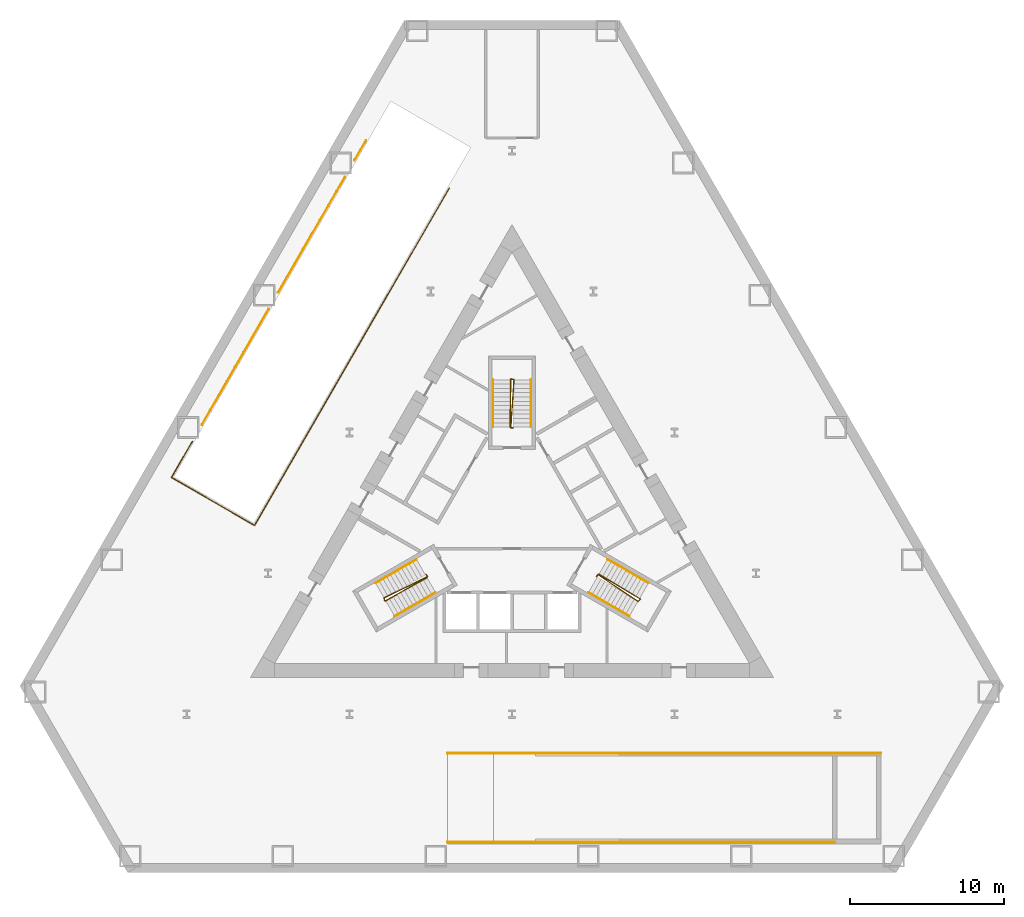
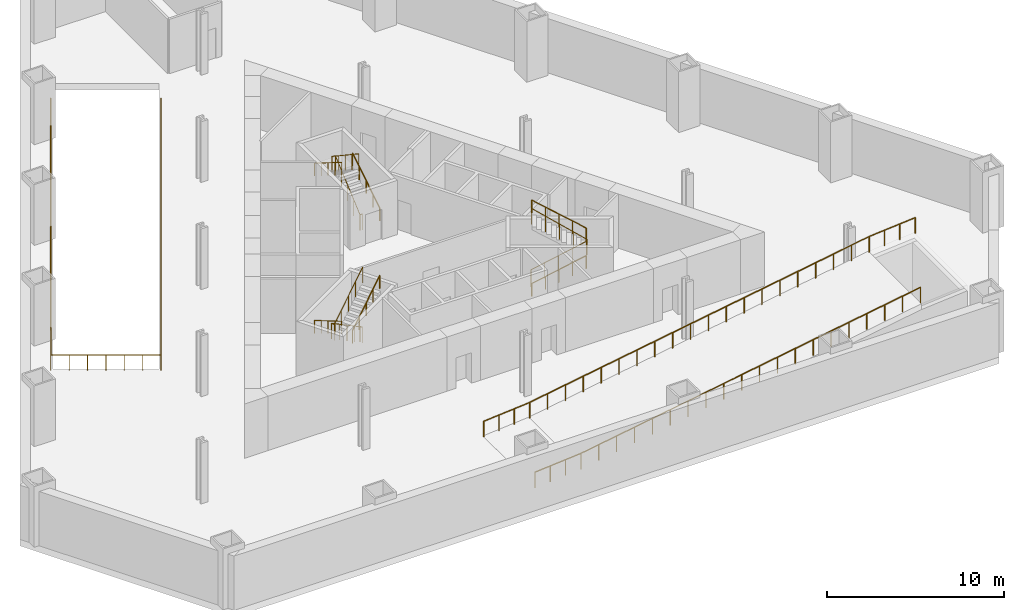
# One storey, part 5 of 5: 15 railings.
"""IFC4 building model written with IfcOpenShell, lengths in metres."""

from ifc_helpers import new_model, si_unit, direction, frame, origin, origin_2d, place, context, subcontext, project, spatial, circle, extrude, material, type_object, element, save


model = new_model("IFC4")

# Units and contexts
model_context = context("Model", 3, precision=1e-05, world=origin(), true_north=direction((0.0, 1.0)))
body_context = subcontext(model_context, "Body", "Model", "MODEL_VIEW")
ifc_project = project(units=[si_unit("LENGTHUNIT", "METRE"), si_unit("AREAUNIT", "SQUARE_METRE"), si_unit("VOLUMEUNIT", "CUBIC_METRE"), si_unit("PLANEANGLEUNIT", "RADIAN"), si_unit("MASSUNIT", "GRAM", prefix="KILO")], contexts=[model_context])

# Site, building, storey
site_placement = place(None, origin())
site = spatial("IfcSite", under=ifc_project, at=site_placement, CompositionType="ELEMENT")
building_placement = place(site_placement, origin())
building = spatial("IfcBuilding", under=site, at=building_placement, Name="Cormorant Prow Tower", CompositionType="ELEMENT")
storey_placement = place(building_placement, frame((0.0, 0.0, -4.199951171875)))
storey = spatial("IfcBuildingStorey", under=building, at=storey_placement, Name="B1", CompositionType="ELEMENT", Elevation=-4.199951171875)

# Railings
ifc_material_1 = material(Name="Stainless steel", Category="steel")
railing_type_1 = type_object("IfcRailingType", Name="Ramp deck guard 1100", PredefinedType="GUARDRAIL", material=ifc_material_1)
railing_1_placement = place(storey_placement, frame((-4.083251953125, 21.9873046875, 0.0)))
element("IfcRailing", 1, at=railing_1_placement, inside=storey, type_object=railing_type_1, Name="Vehicle ramp R2 deck guard 1", PredefinedType="GUARDRAIL", context=body_context, shape_type="SweptSolid", body=[
    extrude(circle(Radius=0.02392578125, at=origin_2d()), frame((0.0, 0.0, 1.076171875), z_axis=(-0.500009296846, -0.866020036181, 0.0), x_axis=(0.866020036181, -0.500009296846, 0.0)), (0.0, 0.0, 1.0), 25.31982421875),
    extrude(circle(Radius=0.02392578125, at=origin_2d()), frame((-12.66015625, -21.927490234375, 1.076171875), z_axis=(-0.866026604282, 0.499997920671, 0.0), x_axis=(-0.499997920671, -0.866026604282, 0.0)), (0.0, 0.0, 1.0), 6.23974609375),
    extrude(circle(Radius=0.02392578125, at=origin_2d()), frame((-18.06396484375, -18.8076171875, 1.076171875), z_axis=(0.499971721724, 0.866041729639, 0.0), x_axis=(-0.866041729639, 0.499971721724, 0.0)), (0.0, 0.0, 1.0), 2.713134765625),
    extrude(circle(Radius=0.02099609375, at=origin_2d()), origin(), (0.0, 0.0, 1.0), 1.052001953125),
    extrude(circle(Radius=0.02099609375, at=origin_2d()), frame((-0.575439453125, -0.99658203125, 0.0)), (0.0, 0.0, 1.0), 1.052001953125),
    extrude(circle(Radius=0.02099609375, at=origin_2d()), frame((-1.15087890625, -1.993408203125, 0.0)), (0.0, 0.0, 1.0), 1.052001953125),
    extrude(circle(Radius=0.02099609375, at=origin_2d()), frame((-1.726318359375, -2.990234375, 0.0)), (0.0, 0.0, 1.0), 1.052001953125),
    extrude(circle(Radius=0.02099609375, at=origin_2d()), frame((-2.3017578125, -3.98681640625, 0.0)), (0.0, 0.0, 1.0), 1.052001953125),
    extrude(circle(Radius=0.02099609375, at=origin_2d()), frame((-2.877197265625, -4.9833984375, 0.0)), (0.0, 0.0, 1.0), 1.052001953125),
    extrude(circle(Radius=0.02099609375, at=origin_2d()), frame((-3.452880859375, -5.980224609375, 0.0)), (0.0, 0.0, 1.0), 1.052001953125),
    extrude(circle(Radius=0.02099609375, at=origin_2d()), frame((-4.0283203125, -6.97705078125, 0.0)), (0.0, 0.0, 1.0), 1.052001953125),
    extrude(circle(Radius=0.02099609375, at=origin_2d()), frame((-4.603759765625, -7.9736328125, 0.0)), (0.0, 0.0, 1.0), 1.052001953125),
    extrude(circle(Radius=0.02099609375, at=origin_2d()), frame((-5.17919921875, -8.97021484375, 0.0)), (0.0, 0.0, 1.0), 1.052001953125),
    extrude(circle(Radius=0.02099609375, at=origin_2d()), frame((-5.754638671875, -9.967041015625, 0.0)), (0.0, 0.0, 1.0), 1.052001953125),
    extrude(circle(Radius=0.02099609375, at=origin_2d()), frame((-6.330078125, -10.9638671875, 0.0)), (0.0, 0.0, 1.0), 1.052001953125),
    extrude(circle(Radius=0.02099609375, at=origin_2d()), frame((-6.905517578125, -11.96044921875, 0.0)), (0.0, 0.0, 1.0), 1.052001953125),
    extrude(circle(Radius=0.02099609375, at=origin_2d()), frame((-7.48095703125, -12.95703125, 0.0)), (0.0, 0.0, 1.0), 1.052001953125),
    extrude(circle(Radius=0.02099609375, at=origin_2d()), frame((-8.056396484375, -13.953857421875, 0.0)), (0.0, 0.0, 1.0), 1.052001953125),
    extrude(circle(Radius=0.02099609375, at=origin_2d()), frame((-8.6318359375, -14.950439453125, 0.0)), (0.0, 0.0, 1.0), 1.052001953125),
    extrude(circle(Radius=0.02099609375, at=origin_2d()), frame((-9.207275390625, -15.947265625, 0.0)), (0.0, 0.0, 1.0), 1.052001953125),
    extrude(circle(Radius=0.02099609375, at=origin_2d()), frame((-9.782958984375, -16.94384765625, 0.0)), (0.0, 0.0, 1.0), 1.052001953125),
    extrude(circle(Radius=0.02099609375, at=origin_2d()), frame((-10.3583984375, -17.940673828125, 0.0)), (0.0, 0.0, 1.0), 1.052001953125),
    extrude(circle(Radius=0.02099609375, at=origin_2d()), frame((-10.933837890625, -18.9375, 0.0)), (0.0, 0.0, 1.0), 1.052001953125),
    extrude(circle(Radius=0.02099609375, at=origin_2d()), frame((-11.50927734375, -19.93408203125, 0.0)), (0.0, 0.0, 1.0), 1.052001953125),
    extrude(circle(Radius=0.02099609375, at=origin_2d()), frame((-12.084716796875, -20.9306640625, 0.0)), (0.0, 0.0, 1.0), 1.052001953125),
    extrude(circle(Radius=0.02099609375, at=origin_2d()), frame((-12.66015625, -21.927490234375, 0.0)), (0.0, 0.0, 1.0), 1.052001953125),
    extrude(circle(Radius=0.02099609375, at=origin_2d()), frame((-13.560791015625, -21.407470703125, 0.0)), (0.0, 0.0, 1.0), 1.052001953125),
    extrude(circle(Radius=0.02099609375, at=origin_2d()), frame((-14.46142578125, -20.887451171875, 0.0)), (0.0, 0.0, 1.0), 1.052001953125),
    extrude(circle(Radius=0.02099609375, at=origin_2d()), frame((-15.362060546875, -20.36767578125, 0.0)), (0.0, 0.0, 1.0), 1.052001953125),
    extrude(circle(Radius=0.02099609375, at=origin_2d()), frame((-16.2626953125, -19.84765625, 0.0)), (0.0, 0.0, 1.0), 1.052001953125),
    extrude(circle(Radius=0.02099609375, at=origin_2d()), frame((-17.163330078125, -19.32763671875, 0.0)), (0.0, 0.0, 1.0), 1.052001953125),
    extrude(circle(Radius=0.02099609375, at=origin_2d()), frame((-18.06396484375, -18.8076171875, 0.0)), (0.0, 0.0, 1.0), 1.052001953125),
    extrude(circle(Radius=0.02099609375, at=origin_2d()), frame((-17.61181640625, -18.0244140625, 0.0)), (0.0, 0.0, 1.0), 1.052001953125),
    extrude(circle(Radius=0.02099609375, at=origin_2d()), frame((-17.15966796875, -17.2412109375, 0.0)), (0.0, 0.0, 1.0), 1.052001953125),
    extrude(circle(Radius=0.02099609375, at=origin_2d()), frame((-16.70751953125, -16.4580078125, 0.0)), (0.0, 0.0, 1.0), 1.052001953125),
])
for number, where, name in (
    (2, (-20.16796875, 6.608154296875, 0.0), "Vehicle ramp R2 deck guard 2"),
    (3, (-15.201904296875, 15.209716796875, 0.0), "Vehicle ramp R2 deck guard 3"),
):
    element("IfcRailing", number, at=place(storey_placement, frame(where)), inside=storey, type_object=railing_type_1, Name=name, PredefinedType="GUARDRAIL", context=body_context, shape_type="SweptSolid", body=[
        extrude(circle(Radius=0.02392578125, at=origin_2d()), frame((0.0, 0.0, 1.076171875), z_axis=(0.50001440814, 0.866017085081, 0.0), x_axis=(-0.866017085081, 0.50001440814, 0.0)), (0.0, 0.0, 1.0), 8.686279296875),
        extrude(circle(Radius=0.02099609375, at=origin_2d()), origin(), (0.0, 0.0, 1.0), 1.052001953125),
        extrude(circle(Radius=0.02099609375, at=origin_2d()), frame((0.54296875, 0.9404296875, 0.0)), (0.0, 0.0, 1.0), 1.052001953125),
        extrude(circle(Radius=0.02099609375, at=origin_2d()), frame((1.0859375, 1.880615234375, 0.0)), (0.0, 0.0, 1.0), 1.052001953125),
        extrude(circle(Radius=0.02099609375, at=origin_2d()), frame((1.628662109375, 2.82080078125, 0.0)), (0.0, 0.0, 1.0), 1.052001953125),
        extrude(circle(Radius=0.02099609375, at=origin_2d()), frame((2.171630859375, 3.76123046875, 0.0)), (0.0, 0.0, 1.0), 1.052001953125),
        extrude(circle(Radius=0.02099609375, at=origin_2d()), frame((2.714599609375, 4.70166015625, 0.0)), (0.0, 0.0, 1.0), 1.052001953125),
        extrude(circle(Radius=0.02099609375, at=origin_2d()), frame((3.25732421875, 5.641845703125, 0.0)), (0.0, 0.0, 1.0), 1.052001953125),
        extrude(circle(Radius=0.02099609375, at=origin_2d()), frame((3.80029296875, 6.58203125, 0.0)), (0.0, 0.0, 1.0), 1.052001953125),
        extrude(circle(Radius=0.02099609375, at=origin_2d()), frame((4.34326171875, 7.5224609375, 0.0)), (0.0, 0.0, 1.0), 1.052001953125),
    ])
railing_2_placement = place(storey_placement, frame((-10.235595703125, 23.811279296875, 0.0)))
element("IfcRailing", 4, at=railing_2_placement, inside=storey, type_object=railing_type_1, Name="Vehicle ramp R2 deck guard 4", PredefinedType="GUARDRAIL", context=body_context, shape_type="SweptSolid", body=[
    extrude(circle(Radius=0.02392578125, at=origin_2d()), frame((0.0, 0.0, 1.076171875), z_axis=(0.499981332661, 0.866036181109, 0.0), x_axis=(-0.866036181109, 0.499981332661, 0.0)), (0.0, 0.0, 1.0), 1.49658203125),
    extrude(circle(Radius=0.02099609375, at=origin_2d()), origin(), (0.0, 0.0, 1.0), 1.052001953125),
    extrude(circle(Radius=0.02099609375, at=origin_2d()), frame((0.3740234375, 0.64794921875, 0.0)), (0.0, 0.0, 1.0), 1.052001953125),
    extrude(circle(Radius=0.02099609375, at=origin_2d()), frame((0.748291015625, 1.296142578125, 0.0)), (0.0, 0.0, 1.0), 1.052001953125),
])
ifc_material_2 = material(Name="Stainless steel", Category="steel")
railing_type_2 = type_object("IfcRailingType", Name="Ramp edge guard 1100", PredefinedType="GUARDRAIL", material=ifc_material_2)
railing_3_placement = place(storey_placement, frame((24.0, -14.75, 4.199951171875)))
element("IfcRailing", 5, at=railing_3_placement, inside=storey, type_object=railing_type_2, Name="Vehicle ramp 3 inner guard", PredefinedType="GUARDRAIL", context=body_context, shape_type="SweptSolid", body=[
    extrude(circle(Radius=0.02392578125, at=origin_2d()), frame((0.0, 0.0, 1.076171875), z_axis=(-0.996545758245, 0.0, -0.083045479854), x_axis=(0.0, -1.0, 0.0)), (0.0, 0.0, 1.0), 3.010498046875),
    extrude(circle(Radius=0.02392578125, at=origin_2d()), frame((-3.0, 0.0, 0.826171875), z_axis=(-0.986394217012, 0.0, -0.164397228215), x_axis=(0.0, -1.0, 0.0)), (0.0, 0.0, 1.0), 22.506103515625),
    extrude(circle(Radius=0.02392578125, at=origin_2d()), frame((-25.199951171875, 0.0, -2.8740234375), z_axis=(-0.996545758245, 0.0, -0.083045479854), x_axis=(0.0, -1.0, 0.0)), (0.0, 0.0, 1.0), 3.010498046875),
    extrude(circle(Radius=0.02099609375, at=origin_2d()), origin(), (0.0, 0.0, 1.0), 1.052001953125),
    extrude(circle(Radius=0.02099609375, at=origin_2d()), frame((-1.0, 0.0, -0.083251953125)), (0.0, 0.0, 1.0), 1.052001953125),
    extrude(circle(Radius=0.02099609375, at=origin_2d()), frame((-2.0, 0.0, -0.166748046875)), (0.0, 0.0, 1.0), 1.052001953125),
    extrude(circle(Radius=0.02099609375, at=origin_2d()), frame((-3.0, 0.0, -0.25)), (0.0, 0.0, 1.0), 1.052001953125),
    extrude(circle(Radius=0.02099609375, at=origin_2d()), frame((-4.16845703125, 0.0, -0.44482421875)), (0.0, 0.0, 1.0), 1.052001953125),
    extrude(circle(Radius=0.02099609375, at=origin_2d()), frame((-5.3369140625, 0.0, -0.639404296875)), (0.0, 0.0, 1.0), 1.052001953125),
    extrude(circle(Radius=0.02099609375, at=origin_2d()), frame((-6.50537109375, 0.0, -0.834228515625)), (0.0, 0.0, 1.0), 1.052001953125),
    extrude(circle(Radius=0.02099609375, at=origin_2d()), frame((-7.673583984375, 0.0, -1.029052734375)), (0.0, 0.0, 1.0), 1.052001953125),
    extrude(circle(Radius=0.02099609375, at=origin_2d()), frame((-8.842041015625, 0.0, -1.2236328125)), (0.0, 0.0, 1.0), 1.052001953125),
    extrude(circle(Radius=0.02099609375, at=origin_2d()), frame((-10.010498046875, 0.0, -1.41845703125)), (0.0, 0.0, 1.0), 1.052001953125),
    extrude(circle(Radius=0.02099609375, at=origin_2d()), frame((-11.178955078125, 0.0, -1.613037109375)), (0.0, 0.0, 1.0), 1.052001953125),
    extrude(circle(Radius=0.02099609375, at=origin_2d()), frame((-12.347412109375, 0.0, -1.807861328125)), (0.0, 0.0, 1.0), 1.052001953125),
    extrude(circle(Radius=0.02099609375, at=origin_2d()), frame((-13.515869140625, 0.0, -2.002685546875)), (0.0, 0.0, 1.0), 1.052001953125),
    extrude(circle(Radius=0.02099609375, at=origin_2d()), frame((-14.68408203125, 0.0, -2.197265625)), (0.0, 0.0, 1.0), 1.052001953125),
    extrude(circle(Radius=0.02099609375, at=origin_2d()), frame((-15.8525390625, 0.0, -2.39208984375)), (0.0, 0.0, 1.0), 1.052001953125),
    extrude(circle(Radius=0.02099609375, at=origin_2d()), frame((-17.02099609375, 0.0, -2.5869140625)), (0.0, 0.0, 1.0), 1.052001953125),
    extrude(circle(Radius=0.02099609375, at=origin_2d()), frame((-18.189453125, 0.0, -2.781494140625)), (0.0, 0.0, 1.0), 1.052001953125),
    extrude(circle(Radius=0.02099609375, at=origin_2d()), frame((-19.35791015625, 0.0, -2.976318359375)), (0.0, 0.0, 1.0), 1.052001953125),
    extrude(circle(Radius=0.02099609375, at=origin_2d()), frame((-20.5263671875, 0.0, -3.1708984375)), (0.0, 0.0, 1.0), 1.052001953125),
    extrude(circle(Radius=0.02099609375, at=origin_2d()), frame((-21.694580078125, 0.0, -3.36572265625)), (0.0, 0.0, 1.0), 1.052001953125),
    extrude(circle(Radius=0.02099609375, at=origin_2d()), frame((-22.863037109375, 0.0, -3.560546875)), (0.0, 0.0, 1.0), 1.052001953125),
    extrude(circle(Radius=0.02099609375, at=origin_2d()), frame((-24.031494140625, 0.0, -3.755126953125)), (0.0, 0.0, 1.0), 1.052001953125),
    extrude(circle(Radius=0.02099609375, at=origin_2d()), frame((-25.199951171875, 0.0, -3.949951171875)), (0.0, 0.0, 1.0), 1.052001953125),
    extrude(circle(Radius=0.02099609375, at=origin_2d()), frame((-26.199951171875, 0.0, -4.033203125)), (0.0, 0.0, 1.0), 1.052001953125),
    extrude(circle(Radius=0.02099609375, at=origin_2d()), frame((-27.199951171875, 0.0, -4.11669921875)), (0.0, 0.0, 1.0), 1.052001953125),
    extrude(circle(Radius=0.02099609375, at=origin_2d()), frame((-28.199951171875, 0.0, -4.199951171875)), (0.0, 0.0, 1.0), 1.052001953125),
])
railing_4_placement = place(storey_placement, frame((21.0, -20.550048828125, 3.949951171875)))
element("IfcRailing", 6, at=railing_4_placement, inside=storey, type_object=railing_type_2, Name="Vehicle ramp 3 outer guard", PredefinedType="GUARDRAIL", context=body_context, shape_type="SweptSolid", body=[
    extrude(circle(Radius=0.02392578125, at=origin_2d()), frame((0.0, 0.0, 1.076171875), z_axis=(-0.986394217012, 0.0, -0.164397228215), x_axis=(0.0, -1.0, 0.0)), (0.0, 0.0, 1.0), 22.506103515625),
    extrude(circle(Radius=0.02392578125, at=origin_2d()), frame((-22.199951171875, 0.0, -2.6240234375), z_axis=(-0.996545758245, 0.0, -0.083045479854), x_axis=(0.0, -1.0, 0.0)), (0.0, 0.0, 1.0), 3.010498046875),
    extrude(circle(Radius=0.02099609375, at=origin_2d()), origin(), (0.0, 0.0, 1.0), 1.052001953125),
    extrude(circle(Radius=0.02099609375, at=origin_2d()), frame((-1.16845703125, 0.0, -0.19482421875)), (0.0, 0.0, 1.0), 1.052001953125),
    extrude(circle(Radius=0.02099609375, at=origin_2d()), frame((-2.3369140625, 0.0, -0.389404296875)), (0.0, 0.0, 1.0), 1.052001953125),
    extrude(circle(Radius=0.02099609375, at=origin_2d()), frame((-3.50537109375, 0.0, -0.584228515625)), (0.0, 0.0, 1.0), 1.052001953125),
    extrude(circle(Radius=0.02099609375, at=origin_2d()), frame((-4.673583984375, 0.0, -0.779052734375)), (0.0, 0.0, 1.0), 1.052001953125),
    extrude(circle(Radius=0.02099609375, at=origin_2d()), frame((-5.842041015625, 0.0, -0.9736328125)), (0.0, 0.0, 1.0), 1.052001953125),
    extrude(circle(Radius=0.02099609375, at=origin_2d()), frame((-7.010498046875, 0.0, -1.16845703125)), (0.0, 0.0, 1.0), 1.052001953125),
    extrude(circle(Radius=0.02099609375, at=origin_2d()), frame((-8.178955078125, 0.0, -1.363037109375)), (0.0, 0.0, 1.0), 1.052001953125),
    extrude(circle(Radius=0.02099609375, at=origin_2d()), frame((-9.347412109375, 0.0, -1.557861328125)), (0.0, 0.0, 1.0), 1.052001953125),
    extrude(circle(Radius=0.02099609375, at=origin_2d()), frame((-10.515869140625, 0.0, -1.752685546875)), (0.0, 0.0, 1.0), 1.052001953125),
    extrude(circle(Radius=0.02099609375, at=origin_2d()), frame((-11.68408203125, 0.0, -1.947265625)), (0.0, 0.0, 1.0), 1.052001953125),
    extrude(circle(Radius=0.02099609375, at=origin_2d()), frame((-12.8525390625, 0.0, -2.14208984375)), (0.0, 0.0, 1.0), 1.052001953125),
    extrude(circle(Radius=0.02099609375, at=origin_2d()), frame((-14.02099609375, 0.0, -2.3369140625)), (0.0, 0.0, 1.0), 1.052001953125),
    extrude(circle(Radius=0.02099609375, at=origin_2d()), frame((-15.189453125, 0.0, -2.531494140625)), (0.0, 0.0, 1.0), 1.052001953125),
    extrude(circle(Radius=0.02099609375, at=origin_2d()), frame((-16.35791015625, 0.0, -2.726318359375)), (0.0, 0.0, 1.0), 1.052001953125),
    extrude(circle(Radius=0.02099609375, at=origin_2d()), frame((-17.5263671875, 0.0, -2.9208984375)), (0.0, 0.0, 1.0), 1.052001953125),
    extrude(circle(Radius=0.02099609375, at=origin_2d()), frame((-18.694580078125, 0.0, -3.11572265625)), (0.0, 0.0, 1.0), 1.052001953125),
    extrude(circle(Radius=0.02099609375, at=origin_2d()), frame((-19.863037109375, 0.0, -3.310546875)), (0.0, 0.0, 1.0), 1.052001953125),
    extrude(circle(Radius=0.02099609375, at=origin_2d()), frame((-21.031494140625, 0.0, -3.505126953125)), (0.0, 0.0, 1.0), 1.052001953125),
    extrude(circle(Radius=0.02099609375, at=origin_2d()), frame((-22.199951171875, 0.0, -3.699951171875)), (0.0, 0.0, 1.0), 1.052001953125),
    extrude(circle(Radius=0.02099609375, at=origin_2d()), frame((-23.199951171875, 0.0, -3.783203125)), (0.0, 0.0, 1.0), 1.052001953125),
    extrude(circle(Radius=0.02099609375, at=origin_2d()), frame((-24.199951171875, 0.0, -3.86669921875)), (0.0, 0.0, 1.0), 1.052001953125),
    extrude(circle(Radius=0.02099609375, at=origin_2d()), frame((-25.199951171875, 0.0, -3.949951171875)), (0.0, 0.0, 1.0), 1.052001953125),
])
ifc_material_3 = material(Name="Stainless steel", Category="steel")
railing_type_3 = type_object("IfcRailingType", Name="Stair guard 1100", PredefinedType="GUARDRAIL", material=ifc_material_3)
railing_5_placement = place(storey_placement, frame((-5.585205078125, -3.137939453125, 0.0)))
element("IfcRailing", 7, at=railing_5_placement, inside=storey, type_object=railing_type_3, Name="B1 ST1 stair guard 1", PredefinedType="GUARDRAIL", context=body_context, shape_type="SweptSolid", body=[
    extrude(circle(Radius=0.02392578125, at=origin_2d()), frame((0.0, 0.0, 1.076171875), z_axis=(0.501036270542, -0.865426285481, 0.0), x_axis=(0.865426285481, 0.501036270542, 0.0)), (0.0, 0.0, 1.0), 0.150146484375),
    extrude(circle(Radius=0.02392578125, at=origin_2d()), frame((0.0751953125, -0.1298828125, 1.076171875), z_axis=(-0.744670798681, -0.368745611333, 0.556320119817), x_axis=(0.443754251299, -0.896148516963, 0.0)), (0.0, 0.0, 1.0), 3.774658203125),
    extrude(circle(Radius=0.02392578125, at=origin_2d()), frame((-2.735595703125, -1.521728515625, 3.17578125), z_axis=(0.274721127897, -0.961523947641, 0.0), x_axis=(0.961523947641, 0.274721127897, 0.0)), (0.0, 0.0, 1.0), 0.2060546875),
    extrude(circle(Radius=0.02392578125, at=origin_2d()), frame((-2.678955078125, -1.719970703125, 3.17578125), z_axis=(0.725738344322, 0.403670096391, 0.557094524171), x_axis=(-0.486086505765, 0.873910698477, 0.0)), (0.0, 0.0, 1.0), 3.769775390625),
    extrude(circle(Radius=0.02099609375, at=origin_2d()), origin(), (0.0, 0.0, 1.0), 1.052001953125),
    extrude(circle(Radius=0.02099609375, at=origin_2d()), frame((0.0751953125, -0.1298828125, 0.0)), (0.0, 0.0, 1.0), 1.052001953125),
    extrude(circle(Radius=0.02099609375, at=origin_2d()), frame((-0.62744140625, -0.477783203125, 0.52490234375)), (0.0, 0.0, 1.0), 1.052001953125),
    extrude(circle(Radius=0.02099609375, at=origin_2d()), frame((-1.330078125, -0.82568359375, 1.0498046875)), (0.0, 0.0, 1.0), 1.052001953125),
    extrude(circle(Radius=0.02099609375, at=origin_2d()), frame((-2.032958984375, -1.173828125, 1.574951171875)), (0.0, 0.0, 1.0), 1.052001953125),
    extrude(circle(Radius=0.02099609375, at=origin_2d()), frame((-2.735595703125, -1.521728515625, 2.099853515625)), (0.0, 0.0, 1.0), 1.052001953125),
    extrude(circle(Radius=0.02099609375, at=origin_2d()), frame((-2.678955078125, -1.719970703125, 2.099853515625)), (0.0, 0.0, 1.0), 1.052001953125),
    extrude(circle(Radius=0.02099609375, at=origin_2d()), frame((-1.9951171875, -1.339599609375, 2.625)), (0.0, 0.0, 1.0), 1.052001953125),
    extrude(circle(Radius=0.02099609375, at=origin_2d()), frame((-1.31103515625, -0.958984375, 3.14990234375)), (0.0, 0.0, 1.0), 1.052001953125),
    extrude(circle(Radius=0.02099609375, at=origin_2d()), frame((-0.626953125, -0.57861328125, 3.6748046875)), (0.0, 0.0, 1.0), 1.052001953125),
    extrude(circle(Radius=0.02099609375, at=origin_2d()), frame((0.056884765625, -0.1982421875, 4.199951171875)), (0.0, 0.0, 1.0), 1.052001953125),
])
railing_6_placement = place(storey_placement, frame((5.510009765625, -3.267822265625, 0.0)))
element("IfcRailing", 8, at=railing_6_placement, inside=storey, type_object=railing_type_3, Name="B1 ST2 stair guard 1", PredefinedType="GUARDRAIL", context=body_context, shape_type="SweptSolid", body=[
    extrude(circle(Radius=0.02392578125, at=origin_2d()), frame((0.0, 0.0, 1.076171875), z_axis=(0.501036270542, 0.865426285481, 0.0), x_axis=(-0.865426285481, 0.501036270542, 0.0)), (0.0, 0.0, 1.0), 0.150146484375),
    extrude(circle(Radius=0.02392578125, at=origin_2d()), frame((0.0751953125, 0.1298828125, 1.076171875), z_axis=(0.691655524431, -0.460543096787, 0.55633864824), x_axis=(0.554233058506, 0.832361530141, 0.0)), (0.0, 0.0, 1.0), 3.7744140625),
    extrude(circle(Radius=0.02392578125, at=origin_2d()), frame((2.685791015625, -1.6083984375, 3.17578125), z_axis=(0.695164929852, 0.718850276695, 0.0), x_axis=(-0.718850276695, 0.695164929852, 0.0)), (0.0, 0.0, 1.0), 0.2060546875),
    extrude(circle(Radius=0.02392578125, at=origin_2d()), frame((2.8291015625, -1.460205078125, 3.17578125), z_axis=(-0.712463317363, 0.426661970256, 0.557095669117), x_axis=(-0.513773053629, -0.857926132814, 0.0)), (0.0, 0.0, 1.0), 3.769775390625),
    extrude(circle(Radius=0.02099609375, at=origin_2d()), origin(), (0.0, 0.0, 1.0), 1.052001953125),
    extrude(circle(Radius=0.02099609375, at=origin_2d()), frame((0.0751953125, 0.1298828125, 0.0)), (0.0, 0.0, 1.0), 1.052001953125),
    extrude(circle(Radius=0.02099609375, at=origin_2d()), frame((0.727783203125, -0.3046875, 0.52490234375)), (0.0, 0.0, 1.0), 1.052001953125),
    extrude(circle(Radius=0.02099609375, at=origin_2d()), frame((1.38037109375, -0.7392578125, 1.0498046875)), (0.0, 0.0, 1.0), 1.052001953125),
    extrude(circle(Radius=0.02099609375, at=origin_2d()), frame((2.033203125, -1.173828125, 1.574951171875)), (0.0, 0.0, 1.0), 1.052001953125),
    extrude(circle(Radius=0.02099609375, at=origin_2d()), frame((2.685791015625, -1.6083984375, 2.099853515625)), (0.0, 0.0, 1.0), 1.052001953125),
    extrude(circle(Radius=0.02099609375, at=origin_2d()), frame((2.8291015625, -1.460205078125, 2.099853515625)), (0.0, 0.0, 1.0), 1.052001953125),
    extrude(circle(Radius=0.02099609375, at=origin_2d()), frame((2.15771484375, -1.05810546875, 2.625)), (0.0, 0.0, 1.0), 1.052001953125),
    extrude(circle(Radius=0.02099609375, at=origin_2d()), frame((1.486328125, -0.656005859375, 3.14990234375)), (0.0, 0.0, 1.0), 1.052001953125),
    extrude(circle(Radius=0.02099609375, at=origin_2d()), frame((0.814697265625, -0.25390625, 3.6748046875)), (0.0, 0.0, 1.0), 1.052001953125),
    extrude(circle(Radius=0.02099609375, at=origin_2d()), frame((0.143310546875, 0.148193359375, 4.199951171875)), (0.0, 0.0, 1.0), 1.052001953125),
])
railing_7_placement = place(storey_placement, frame((0.074951171875, 6.40576171875, 0.0)))
element("IfcRailing", 9, at=railing_7_placement, inside=storey, type_object=railing_type_3, Name="B1 ST3 stair guard 1", PredefinedType="GUARDRAIL", context=body_context, shape_type="SweptSolid", body=[
    extrude(circle(Radius=0.02392578125, at=origin_2d()), frame((0.0, 0.0, 1.076171875), z_axis=(-1.0, 0.0, 0.0), x_axis=(0.0, -1.0, 0.0)), (0.0, 0.0, 1.0), 0.14990234375),
    extrude(circle(Radius=0.02392578125, at=origin_2d()), frame((-0.14990234375, 0.0, 1.076171875), z_axis=(0.052973824345, 0.829276437025, 0.556322177276), x_axis=(-0.997965923181, 0.063749636618, 0.0)), (0.0, 0.0, 1.0), 3.7744140625),
    extrude(circle(Radius=0.02392578125, at=origin_2d()), frame((0.050048828125, 3.130126953125, 3.17578125), z_axis=(-0.970072785993, 0.242814311512, 0.0), x_axis=(-0.242814311512, -0.970072785993, 0.0)), (0.0, 0.0, 1.0), 0.2060546875),
    extrude(circle(Radius=0.02392578125, at=origin_2d()), frame((-0.14990234375, 3.18017578125, 3.17578125), z_axis=(-0.013276620939, -0.830339302729, 0.557099967403), x_axis=(0.999872194171, -0.015987348866, 0.0)), (0.0, 0.0, 1.0), 3.769775390625),
    extrude(circle(Radius=0.02099609375, at=origin_2d()), origin(), (0.0, 0.0, 1.0), 1.052001953125),
    extrude(circle(Radius=0.02099609375, at=origin_2d()), frame((-0.14990234375, 0.0, 0.0)), (0.0, 0.0, 1.0), 1.052001953125),
    extrude(circle(Radius=0.02099609375, at=origin_2d()), frame((-0.099853515625, 0.782470703125, 0.52490234375)), (0.0, 0.0, 1.0), 1.052001953125),
    extrude(circle(Radius=0.02099609375, at=origin_2d()), frame((-0.0498046875, 1.56494140625, 1.0498046875)), (0.0, 0.0, 1.0), 1.052001953125),
    extrude(circle(Radius=0.02099609375, at=origin_2d()), frame((0.0, 2.34765625, 1.574951171875)), (0.0, 0.0, 1.0), 1.052001953125),
    extrude(circle(Radius=0.02099609375, at=origin_2d()), frame((0.050048828125, 3.130126953125, 2.099853515625)), (0.0, 0.0, 1.0), 1.052001953125),
    extrude(circle(Radius=0.02099609375, at=origin_2d()), frame((-0.14990234375, 3.18017578125, 2.099853515625)), (0.0, 0.0, 1.0), 1.052001953125),
    extrude(circle(Radius=0.02099609375, at=origin_2d()), frame((-0.162353515625, 2.397705078125, 2.625)), (0.0, 0.0, 1.0), 1.052001953125),
    extrude(circle(Radius=0.02099609375, at=origin_2d()), frame((-0.1748046875, 1.615234375, 3.14990234375)), (0.0, 0.0, 1.0), 1.052001953125),
    extrude(circle(Radius=0.02099609375, at=origin_2d()), frame((-0.1875, 0.83251953125, 3.6748046875)), (0.0, 0.0, 1.0), 1.052001953125),
    extrude(circle(Radius=0.02099609375, at=origin_2d()), frame((-0.199951171875, 0.050048828125, 4.199951171875)), (0.0, 0.0, 1.0), 1.052001953125),
])
ifc_material_4 = material(Name="Stainless steel", Category="steel")
railing_type_4 = type_object("IfcRailingType", Name="Stair handrail 900", PredefinedType="HANDRAIL", material=ifc_material_4)
railing_8_placement = place(storey_placement, frame((-6.212890625, -2.150634765625, 0.175048828125)))
element("IfcRailing", 10, at=railing_8_placement, inside=storey, type_object=railing_type_4, Name="B1 ST1 stair handrail 1", PredefinedType="HANDRAIL", context=body_context, shape_type="SweptSolid", body=[
    extrude(circle(Radius=0.02392578125, at=origin_2d()), frame((0.0, 0.0, 0.8759765625), z_axis=(-0.734421155904, -0.424009578203, 0.529944755001), x_axis=(0.499992328818, -0.866029832698, 0.0)), (0.0, 0.0, 1.0), 3.632080078125),
    extrude(circle(Radius=0.02099609375, at=origin_2d()), origin(), (0.0, 0.0, 1.0), 0.851806640625),
    extrude(circle(Radius=0.02099609375, at=origin_2d()), frame((-0.6669921875, -0.385009765625, 0.481201171875)), (0.0, 0.0, 1.0), 0.851806640625),
    extrude(circle(Radius=0.02099609375, at=origin_2d()), frame((-1.333740234375, -0.77001953125, 0.96240234375)), (0.0, 0.0, 1.0), 0.851806640625),
    extrude(circle(Radius=0.02099609375, at=origin_2d()), frame((-2.00048828125, -1.155029296875, 1.443603515625)), (0.0, 0.0, 1.0), 0.851806640625),
    extrude(circle(Radius=0.02099609375, at=origin_2d()), frame((-2.66748046875, -1.5400390625, 1.9248046875)), (0.0, 0.0, 1.0), 0.851806640625),
])
railing_9_placement = place(storey_placement, frame((-7.63623046875, -5.84521484375, 2.27490234375)))
element("IfcRailing", 11, at=railing_9_placement, inside=storey, type_object=railing_type_4, Name="B1 ST1 stair handrail 2", PredefinedType="HANDRAIL", context=body_context, shape_type="SweptSolid", body=[
    extrude(circle(Radius=0.02392578125, at=origin_2d()), frame((0.0, 0.0, 0.8759765625), z_axis=(0.734364028329, 0.424015404183, 0.530019255228), x_axis=(-0.500026652407, 0.866010015463, 0.0)), (0.0, 0.0, 1.0), 3.632080078125),
    extrude(circle(Radius=0.02099609375, at=origin_2d()), origin(), (0.0, 0.0, 1.0), 0.851806640625),
    extrude(circle(Radius=0.02099609375, at=origin_2d()), frame((0.666748046875, 0.385009765625, 0.481201171875)), (0.0, 0.0, 1.0), 0.851806640625),
    extrude(circle(Radius=0.02099609375, at=origin_2d()), frame((1.33349609375, 0.77001953125, 0.96240234375)), (0.0, 0.0, 1.0), 0.851806640625),
    extrude(circle(Radius=0.02099609375, at=origin_2d()), frame((2.00048828125, 1.155029296875, 1.44384765625)), (0.0, 0.0, 1.0), 0.851806640625),
    extrude(circle(Radius=0.02099609375, at=origin_2d()), frame((2.667236328125, 1.5400390625, 1.925048828125)), (0.0, 0.0, 1.0), 0.851806640625),
])
railing_10_placement = place(storey_placement, frame((4.968994140625, -4.30517578125, 0.175048828125)))
element("IfcRailing", 12, at=railing_10_placement, inside=storey, type_object=railing_type_4, Name="B1 ST2 stair handrail 1", PredefinedType="HANDRAIL", context=body_context, shape_type="SweptSolid", body=[
    extrude(circle(Radius=0.02392578125, at=origin_2d()), frame((0.0, 0.0, 0.8759765625), z_axis=(0.734390191396, -0.42403051051, 0.529970917068), x_axis=(0.500026652407, 0.866010015463, 0.0)), (0.0, 0.0, 1.0), 3.6318359375),
    extrude(circle(Radius=0.02099609375, at=origin_2d()), origin(), (0.0, 0.0, 1.0), 0.851806640625),
    extrude(circle(Radius=0.02099609375, at=origin_2d()), frame((0.666748046875, -0.385009765625, 0.481201171875)), (0.0, 0.0, 1.0), 0.851806640625),
    extrude(circle(Radius=0.02099609375, at=origin_2d()), frame((1.33349609375, -0.77001953125, 0.96240234375)), (0.0, 0.0, 1.0), 0.851806640625),
    extrude(circle(Radius=0.02099609375, at=origin_2d()), frame((2.00048828125, -1.155029296875, 1.443603515625)), (0.0, 0.0, 1.0), 0.851806640625),
    extrude(circle(Radius=0.02099609375, at=origin_2d()), frame((2.667236328125, -1.5400390625, 1.9248046875)), (0.0, 0.0, 1.0), 0.851806640625),
])
railing_11_placement = place(storey_placement, frame((8.88037109375, -3.690673828125, 2.27490234375)))
element("IfcRailing", 13, at=railing_11_placement, inside=storey, type_object=railing_type_4, Name="B1 ST2 stair handrail 2", PredefinedType="HANDRAIL", context=body_context, shape_type="SweptSolid", body=[
    extrude(circle(Radius=0.02392578125, at=origin_2d()), frame((0.0, 0.0, 0.8759765625), z_axis=(-0.734394994316, 0.423994474112, 0.52999309264), x_axis=(-0.499992328818, -0.866029832698, 0.0)), (0.0, 0.0, 1.0), 3.63232421875),
    extrude(circle(Radius=0.02099609375, at=origin_2d()), origin(), (0.0, 0.0, 1.0), 0.851806640625),
    extrude(circle(Radius=0.02099609375, at=origin_2d()), frame((-0.6669921875, 0.385009765625, 0.481201171875)), (0.0, 0.0, 1.0), 0.851806640625),
    extrude(circle(Radius=0.02099609375, at=origin_2d()), frame((-1.333740234375, 0.77001953125, 0.96240234375)), (0.0, 0.0, 1.0), 0.851806640625),
    extrude(circle(Radius=0.02099609375, at=origin_2d()), frame((-2.00048828125, 1.155029296875, 1.44384765625)), (0.0, 0.0, 1.0), 0.851806640625),
    extrude(circle(Radius=0.02099609375, at=origin_2d()), frame((-2.66748046875, 1.5400390625, 1.925048828125)), (0.0, 0.0, 1.0), 0.851806640625),
])
railing_12_placement = place(storey_placement, frame((1.243896484375, 6.455810546875, 0.175048828125)))
element("IfcRailing", 14, at=railing_12_placement, inside=storey, type_object=railing_type_4, Name="B1 ST3 stair handrail 1", PredefinedType="HANDRAIL", context=body_context, shape_type="SweptSolid", body=[
    extrude(circle(Radius=0.02392578125, at=origin_2d()), frame((0.0, 0.0, 0.8759765625), z_axis=(0.0, 0.848028513186, 0.529950602248), x_axis=(-1.0, 0.0, 0.0)), (0.0, 0.0, 1.0), 3.632080078125),
    extrude(circle(Radius=0.02099609375, at=origin_2d()), origin(), (0.0, 0.0, 1.0), 0.851806640625),
    extrude(circle(Radius=0.02099609375, at=origin_2d()), frame((0.0, 0.77001953125, 0.481201171875)), (0.0, 0.0, 1.0), 0.851806640625),
    extrude(circle(Radius=0.02099609375, at=origin_2d()), frame((0.0, 1.5400390625, 0.96240234375)), (0.0, 0.0, 1.0), 0.851806640625),
    extrude(circle(Radius=0.02099609375, at=origin_2d()), frame((0.0, 2.31005859375, 1.443603515625)), (0.0, 0.0, 1.0), 0.851806640625),
    extrude(circle(Radius=0.02099609375, at=origin_2d()), frame((0.0, 3.080078125, 1.9248046875)), (0.0, 0.0, 1.0), 0.851806640625),
])
railing_13_placement = place(storey_placement, frame((-1.243896484375, 9.535888671875, 2.27490234375)))
element("IfcRailing", 15, at=railing_13_placement, inside=storey, type_object=railing_type_4, Name="B1 ST3 stair handrail 2", PredefinedType="HANDRAIL", context=body_context, shape_type="SweptSolid", body=[
    extrude(circle(Radius=0.02392578125, at=origin_2d()), frame((0.0, 0.0, 0.8759765625), z_axis=(0.0, -0.847998304005, 0.529998940003), x_axis=(1.0, 0.0, 0.0)), (0.0, 0.0, 1.0), 3.632080078125),
    extrude(circle(Radius=0.02099609375, at=origin_2d()), origin(), (0.0, 0.0, 1.0), 0.851806640625),
    extrude(circle(Radius=0.02099609375, at=origin_2d()), frame((0.0, -0.77001953125, 0.481201171875)), (0.0, 0.0, 1.0), 0.851806640625),
    extrude(circle(Radius=0.02099609375, at=origin_2d()), frame((0.0, -1.5400390625, 0.96240234375)), (0.0, 0.0, 1.0), 0.851806640625),
    extrude(circle(Radius=0.02099609375, at=origin_2d()), frame((0.0, -2.31005859375, 1.44384765625)), (0.0, 0.0, 1.0), 0.851806640625),
    extrude(circle(Radius=0.02099609375, at=origin_2d()), frame((0.0, -3.080078125, 1.925048828125)), (0.0, 0.0, 1.0), 0.851806640625),
])

save(model, "model.ifc")
